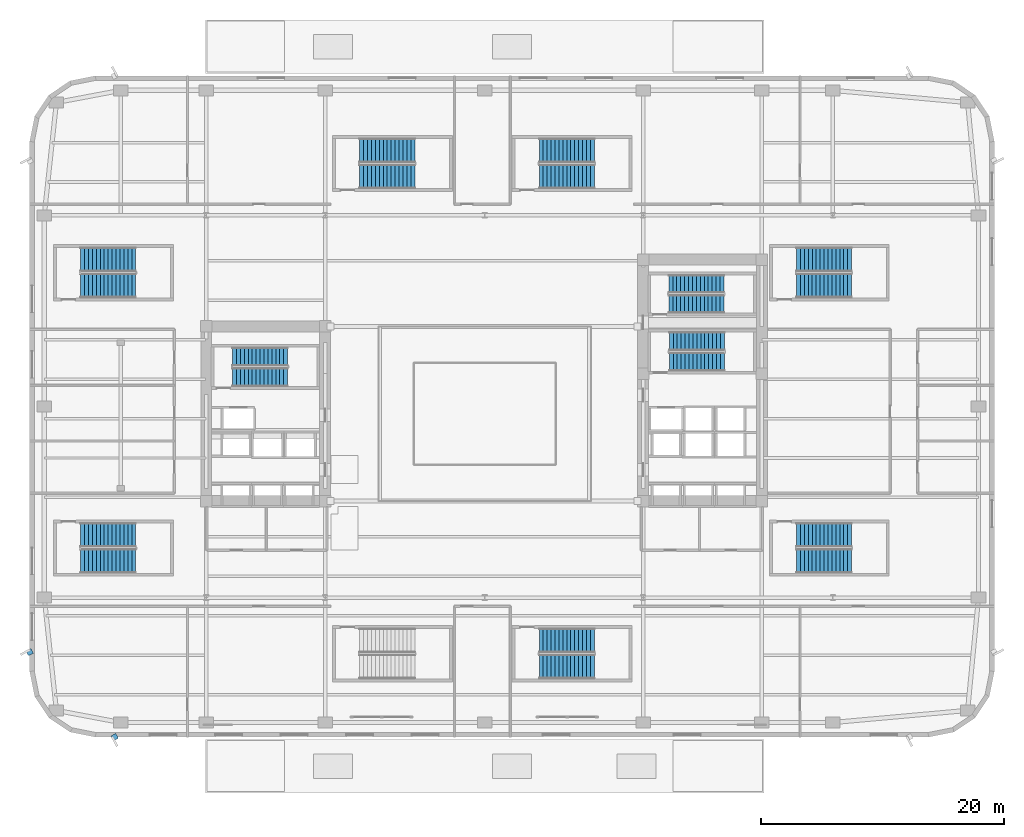
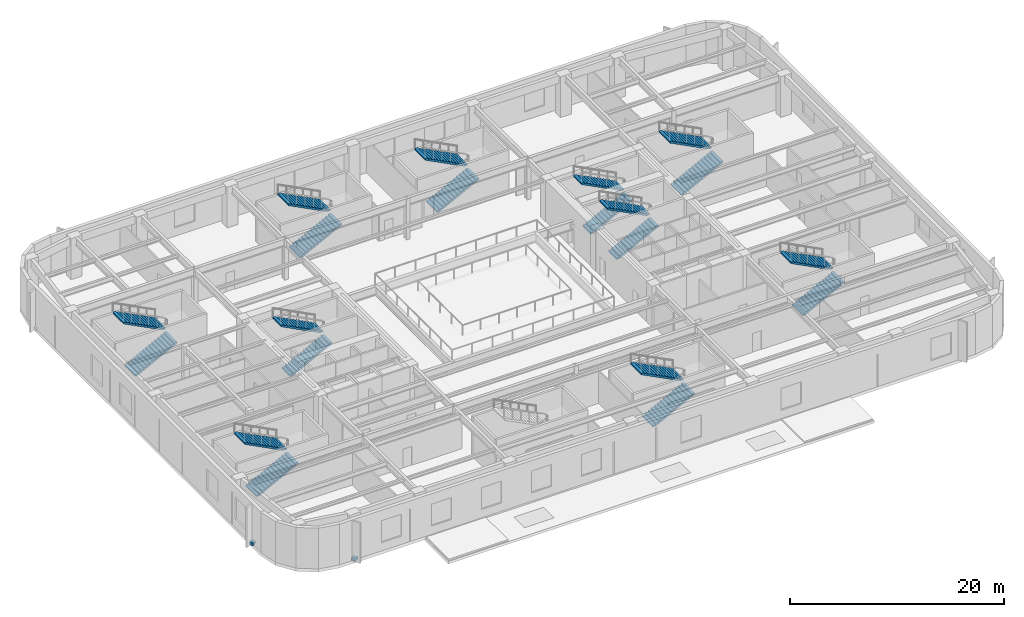
# One storey, part 11 of 24: 20 stair flights, 2 discrete accessories, 10 elements without a shape of their own.
"""IFC4 building model written with IfcOpenShell, lengths in metres."""

from ifc_helpers import new_model, si_unit, direction, frame, origin, origin_2d, place, context, subcontext, project, spatial, polyline, rectangle, outline, extrude, material, type_object, element, aggregate, save


model = new_model("IFC4")

# Units and contexts
model_context = context("Model", 3, precision=1e-05, world=origin(), true_north=direction((0.0, 1.0)))
body_context = subcontext(model_context, "Body", "Model", "MODEL_VIEW")
ifc_project = project(units=[si_unit("LENGTHUNIT", "METRE"), si_unit("AREAUNIT", "SQUARE_METRE"), si_unit("VOLUMEUNIT", "CUBIC_METRE"), si_unit("PLANEANGLEUNIT", "RADIAN"), si_unit("MASSUNIT", "GRAM", prefix="KILO")], contexts=[model_context])

# Site, building, storey
site_placement = place(None, origin())
site = spatial("IfcSite", under=ifc_project, at=site_placement, CompositionType="ELEMENT")
building_placement = place(site_placement, origin())
building = spatial("IfcBuilding", under=site, at=building_placement, Name="Kolvaren Arena Tower", CompositionType="ELEMENT")
storey_placement = place(building_placement, frame((0.0, 0.0, 8.0)))
storey = spatial("IfcBuildingStorey", under=building, at=storey_placement, Name="L01", CompositionType="ELEMENT", Elevation=8.0)

# Stair, stair flights
ifc_material_1 = material(Name="Concrete 45 MPa", Category="concrete")
stair_type_1 = type_object("IfcStairType", Name="STAIR-CORE-150", PredefinedType="HALF_TURN_STAIR", material=ifc_material_1)
stair_1_placement = place(storey_placement, origin())
stair_1 = element("IfcStair", 1, at=stair_1_placement, inside=storey, type_object=stair_type_1, Name="L01 ST-E2", PredefinedType="HALF_TURN_STAIR")
stair_flight_type_1 = type_object("IfcStairFlightType", Name="FLT-150", PredefinedType="STRAIGHT", material=ifc_material_1)
stair_flight_1_placement = place(storey_placement, frame((52.679931640625, 35.699951171875, 0.0), z_axis=(0.0, 0.0, 1.0), x_axis=(1.0, 0.0, 0.0)))
stair_flight_1 = element("IfcStairFlight", 2, at=stair_flight_1_placement, type_object=stair_flight_type_1, Name="ST-E2 flight 1", NumberOfRisers=15, NumberOfTreads=14, PredefinedType="STRAIGHT", RiserHeight=0.166666667, TreadLength=0.324, context=body_context, shape_type="SweptSolid", body=[
    extrude(outline(polyline([(0.0, 0.0), (0.0, 0.166748046875), (0.323974609375, 0.166748046875), (0.323974609375, 0.333251953125), (0.64794921875, 0.333251953125), (0.64794921875, 0.5), (0.971923828125, 0.5), (0.971923828125, 0.666748046875), (1.2958984375, 0.666748046875), (1.2958984375, 0.833251953125), (1.6201171875, 0.833251953125), (1.6201171875, 1.0), (1.944091796875, 1.0), (1.944091796875, 1.166748046875), (2.26806640625, 1.166748046875), (2.26806640625, 1.333251953125), (2.592041015625, 1.333251953125), (2.592041015625, 1.5), (2.916015625, 1.5), (2.916015625, 1.666748046875), (3.239990234375, 1.666748046875), (3.239990234375, 1.833251953125), (3.56396484375, 1.833251953125), (3.56396484375, 2.0), (3.887939453125, 2.0), (3.887939453125, 2.166748046875), (4.2119140625, 2.166748046875), (4.2119140625, 2.333251953125), (4.535888671875, 2.333251953125), (4.535888671875, 2.5), (4.535888671875, 2.164794921875), (0.32763671875, 0.0), (0.0, 0.0)])), frame((0.0, 0.75, 0.0), z_axis=(0.0, -1.0, 0.0), x_axis=(1.0, 0.0, 0.0)), (0.0, 0.0, 1.0), 1.5),
])
stair_flight_2_placement = place(storey_placement, frame((57.216064453125, 37.35009765625, 2.5), z_axis=(0.0, 0.0, 1.0), x_axis=(-1.0, 0.0, 0.0)))
stair_flight_2 = element("IfcStairFlight", 3, at=stair_flight_2_placement, type_object=stair_flight_type_1, Name="ST-E2 flight 2", NumberOfRisers=15, NumberOfTreads=14, PredefinedType="STRAIGHT", RiserHeight=0.166666667, TreadLength=0.324, context=body_context, shape_type="SweptSolid", body=[
    extrude(outline(polyline([(0.0, 0.0), (0.0, 0.166748046875), (0.323974609375, 0.166748046875), (0.323974609375, 0.333251953125), (0.64794921875, 0.333251953125), (0.64794921875, 0.5), (0.971923828125, 0.5), (0.971923828125, 0.666748046875), (1.2958984375, 0.666748046875), (1.2958984375, 0.833251953125), (1.6201171875, 0.833251953125), (1.6201171875, 1.0), (1.944091796875, 1.0), (1.944091796875, 1.166748046875), (2.26806640625, 1.166748046875), (2.26806640625, 1.333251953125), (2.592041015625, 1.333251953125), (2.592041015625, 1.5), (2.916015625, 1.5), (2.916015625, 1.666748046875), (3.239990234375, 1.666748046875), (3.239990234375, 1.833251953125), (3.56396484375, 1.833251953125), (3.56396484375, 2.0), (3.887939453125, 2.0), (3.887939453125, 2.166748046875), (4.2119140625, 2.166748046875), (4.2119140625, 2.333251953125), (4.535888671875, 2.333251953125), (4.535888671875, 2.5), (4.535888671875, 2.164794921875), (0.32763671875, 0.0), (0.0, 0.0)])), frame((0.0, 0.75, 0.0), z_axis=(0.0, -1.0, 0.0), x_axis=(1.0, 0.0, 0.0)), (0.0, 0.0, 1.0), 1.5),
])
aggregate(stair_1, [stair_flight_1, stair_flight_2])

stair_type_2 = type_object("IfcStairType", Name="STAIR-CORE-165", PredefinedType="HALF_TURN_STAIR", material=ifc_material_1)
stair_2_placement = place(storey_placement, origin())
stair_2 = element("IfcStair", 4, at=stair_2_placement, inside=storey, type_object=stair_type_2, Name="L01 ST-W1", PredefinedType="HALF_TURN_STAIR")
stair_flight_type_2 = type_object("IfcStairFlightType", Name="FLT-165", PredefinedType="STRAIGHT", material=ifc_material_1)
stair_flight_3_placement = place(storey_placement, frame((16.719970703125, 29.669921875, 0.0), z_axis=(0.0, 0.0, 1.0), x_axis=(1.0, 0.0, 0.0)))
stair_flight_3 = element("IfcStairFlight", 5, at=stair_flight_3_placement, type_object=stair_flight_type_2, Name="ST-W1 flight 1", NumberOfRisers=15, NumberOfTreads=14, PredefinedType="STRAIGHT", RiserHeight=0.166666667, TreadLength=0.324, context=body_context, shape_type="SweptSolid", body=[
    extrude(outline(polyline([(0.0, 0.0), (0.0, 0.166748046875), (0.323974609375, 0.166748046875), (0.323974609375, 0.333251953125), (0.64794921875, 0.333251953125), (0.64794921875, 0.5), (0.971923828125, 0.5), (0.971923828125, 0.666748046875), (1.2958984375, 0.666748046875), (1.2958984375, 0.833251953125), (1.6201171875, 0.833251953125), (1.6201171875, 1.0), (1.944091796875, 1.0), (1.944091796875, 1.166748046875), (2.26806640625, 1.166748046875), (2.26806640625, 1.333251953125), (2.592041015625, 1.333251953125), (2.592041015625, 1.5), (2.916015625, 1.5), (2.916015625, 1.666748046875), (3.239990234375, 1.666748046875), (3.239990234375, 1.833251953125), (3.56396484375, 1.833251953125), (3.56396484375, 2.0), (3.887939453125, 2.0), (3.887939453125, 2.166748046875), (4.2119140625, 2.166748046875), (4.2119140625, 2.333251953125), (4.535888671875, 2.333251953125), (4.535888671875, 2.5), (4.535888671875, 2.164794921875), (0.32763671875, 0.0), (0.0, 0.0)])), frame((0.0, 0.77001953125, 0.0), z_axis=(0.0, -1.0, 0.0), x_axis=(1.0, 0.0, 0.0)), (0.0, 0.0, 1.0), 1.5400390625),
])
stair_flight_4_placement = place(storey_placement, frame((21.256103515625, 31.360107421875, 2.5), z_axis=(0.0, 0.0, 1.0), x_axis=(-1.0, 0.0, 0.0)))
stair_flight_4 = element("IfcStairFlight", 6, at=stair_flight_4_placement, type_object=stair_flight_type_2, Name="ST-W1 flight 2", NumberOfRisers=15, NumberOfTreads=14, PredefinedType="STRAIGHT", RiserHeight=0.166666667, TreadLength=0.324, context=body_context, shape_type="SweptSolid", body=[
    extrude(outline(polyline([(0.0, 0.0), (0.0, 0.166748046875), (0.323974609375, 0.166748046875), (0.323974609375, 0.333251953125), (0.64794921875, 0.333251953125), (0.64794921875, 0.5), (0.971923828125, 0.5), (0.971923828125, 0.666748046875), (1.2958984375, 0.666748046875), (1.2958984375, 0.833251953125), (1.6201171875, 0.833251953125), (1.6201171875, 1.0), (1.944091796875, 1.0), (1.944091796875, 1.166748046875), (2.26806640625, 1.166748046875), (2.26806640625, 1.333251953125), (2.592041015625, 1.333251953125), (2.592041015625, 1.5), (2.916015625, 1.5), (2.916015625, 1.666748046875), (3.239990234375, 1.666748046875), (3.239990234375, 1.833251953125), (3.56396484375, 1.833251953125), (3.56396484375, 2.0), (3.887939453125, 2.0), (3.887939453125, 2.166748046875), (4.2119140625, 2.166748046875), (4.2119140625, 2.333251953125), (4.535888671875, 2.333251953125), (4.535888671875, 2.5), (4.535888671875, 2.164794921875), (0.32763671875, 0.0), (0.0, 0.0)])), frame((0.0, 0.77001953125, 0.0), z_axis=(0.0, -1.0, 0.0), x_axis=(1.0, 0.0, 0.0)), (0.0, 0.0, 1.0), 1.5400390625),
])
aggregate(stair_2, [stair_flight_3, stair_flight_4])

stair_3_placement = place(storey_placement, origin())
stair_3 = element("IfcStair", 7, at=stair_3_placement, inside=storey, type_object=stair_type_2, Name="L01 ST-E1", PredefinedType="HALF_TURN_STAIR")
stair_flight_5_placement = place(storey_placement, frame((52.719970703125, 30.919921875, 0.0), z_axis=(0.0, 0.0, 1.0), x_axis=(1.0, 0.0, 0.0)))
stair_flight_5 = element("IfcStairFlight", 8, at=stair_flight_5_placement, type_object=stair_flight_type_2, Name="ST-E1 flight 1", NumberOfRisers=15, NumberOfTreads=14, PredefinedType="STRAIGHT", RiserHeight=0.166666667, TreadLength=0.324, context=body_context, shape_type="SweptSolid", body=[
    extrude(outline(polyline([(0.0, 0.0), (0.0, 0.166748046875), (0.323974609375, 0.166748046875), (0.323974609375, 0.333251953125), (0.64794921875, 0.333251953125), (0.64794921875, 0.5), (0.971923828125, 0.5), (0.971923828125, 0.666748046875), (1.2958984375, 0.666748046875), (1.2958984375, 0.833251953125), (1.6201171875, 0.833251953125), (1.6201171875, 1.0), (1.944091796875, 1.0), (1.944091796875, 1.166748046875), (2.26806640625, 1.166748046875), (2.26806640625, 1.333251953125), (2.592041015625, 1.333251953125), (2.592041015625, 1.5), (2.916015625, 1.5), (2.916015625, 1.666748046875), (3.239990234375, 1.666748046875), (3.239990234375, 1.833251953125), (3.56396484375, 1.833251953125), (3.56396484375, 2.0), (3.887939453125, 2.0), (3.887939453125, 2.166748046875), (4.2119140625, 2.166748046875), (4.2119140625, 2.333251953125), (4.535888671875, 2.333251953125), (4.535888671875, 2.5), (4.535888671875, 2.164794921875), (0.32763671875, 0.0), (0.0, 0.0)])), frame((0.0, 0.77001953125, 0.0), z_axis=(0.0, -1.0, 0.0), x_axis=(1.0, 0.0, 0.0)), (0.0, 0.0, 1.0), 1.5400390625),
])
stair_flight_6_placement = place(storey_placement, frame((57.256103515625, 32.610107421875, 2.5), z_axis=(0.0, 0.0, 1.0), x_axis=(-1.0, 0.0, 0.0)))
stair_flight_6 = element("IfcStairFlight", 9, at=stair_flight_6_placement, type_object=stair_flight_type_2, Name="ST-E1 flight 2", NumberOfRisers=15, NumberOfTreads=14, PredefinedType="STRAIGHT", RiserHeight=0.166666667, TreadLength=0.324, context=body_context, shape_type="SweptSolid", body=[
    extrude(outline(polyline([(0.0, 0.0), (0.0, 0.166748046875), (0.323974609375, 0.166748046875), (0.323974609375, 0.333251953125), (0.64794921875, 0.333251953125), (0.64794921875, 0.5), (0.971923828125, 0.5), (0.971923828125, 0.666748046875), (1.2958984375, 0.666748046875), (1.2958984375, 0.833251953125), (1.6201171875, 0.833251953125), (1.6201171875, 1.0), (1.944091796875, 1.0), (1.944091796875, 1.166748046875), (2.26806640625, 1.166748046875), (2.26806640625, 1.333251953125), (2.592041015625, 1.333251953125), (2.592041015625, 1.5), (2.916015625, 1.5), (2.916015625, 1.666748046875), (3.239990234375, 1.666748046875), (3.239990234375, 1.833251953125), (3.56396484375, 1.833251953125), (3.56396484375, 2.0), (3.887939453125, 2.0), (3.887939453125, 2.166748046875), (4.2119140625, 2.166748046875), (4.2119140625, 2.333251953125), (4.535888671875, 2.333251953125), (4.535888671875, 2.5), (4.535888671875, 2.164794921875), (0.32763671875, 0.0), (0.0, 0.0)])), frame((0.0, 0.77001953125, 0.0), z_axis=(0.0, -1.0, 0.0), x_axis=(1.0, 0.0, 0.0)), (0.0, 0.0, 1.0), 1.5400390625),
])
aggregate(stair_3, [stair_flight_5, stair_flight_6])

stair_type_3 = type_object("IfcStairType", Name="STAIR-ARENA-220", PredefinedType="HALF_TURN_STAIR", material=ifc_material_1)
stair_4_placement = place(storey_placement, origin())
stair_4 = element("IfcStair", 10, at=stair_4_placement, inside=storey, type_object=stair_type_3, Name="L01 ST-A1", PredefinedType="HALF_TURN_STAIR")
stair_flight_type_3 = type_object("IfcStairFlightType", Name="FLT-220", PredefinedType="STRAIGHT", material=ifc_material_1)
stair_flight_7_placement = place(storey_placement, frame((4.199951171875, 14.5, 0.0), z_axis=(0.0, 0.0, 1.0), x_axis=(1.0, 0.0, 0.0)))
stair_flight_7 = element("IfcStairFlight", 11, at=stair_flight_7_placement, type_object=stair_flight_type_3, Name="ST-A1 flight 1", NumberOfRisers=15, NumberOfTreads=14, PredefinedType="STRAIGHT", RiserHeight=0.166666667, TreadLength=0.324, context=body_context, shape_type="SweptSolid", body=[
    extrude(outline(polyline([(0.0, 0.0), (0.0, 0.166748046875), (0.323974609375, 0.166748046875), (0.323974609375, 0.333251953125), (0.64794921875, 0.333251953125), (0.64794921875, 0.5), (0.971923828125, 0.5), (0.971923828125, 0.666748046875), (1.2958984375, 0.666748046875), (1.2958984375, 0.833251953125), (1.6201171875, 0.833251953125), (1.6201171875, 1.0), (1.944091796875, 1.0), (1.944091796875, 1.166748046875), (2.26806640625, 1.166748046875), (2.26806640625, 1.333251953125), (2.592041015625, 1.333251953125), (2.592041015625, 1.5), (2.916015625, 1.5), (2.916015625, 1.666748046875), (3.239990234375, 1.666748046875), (3.239990234375, 1.833251953125), (3.56396484375, 1.833251953125), (3.56396484375, 2.0), (3.887939453125, 2.0), (3.887939453125, 2.166748046875), (4.2119140625, 2.166748046875), (4.2119140625, 2.333251953125), (4.535888671875, 2.333251953125), (4.535888671875, 2.5), (4.535888671875, 2.164794921875), (0.32763671875, 0.0), (0.0, 0.0)])), frame((0.0, 1.0, 0.0), z_axis=(0.0, -1.0, 0.0), x_axis=(1.0, 0.0, 0.0)), (0.0, 0.0, 1.0), 2.0),
])
stair_flight_8_placement = place(storey_placement, frame((8.736083984375, 16.64990234375, 2.5), z_axis=(0.0, 0.0, 1.0), x_axis=(-1.0, 0.0, 0.0)))
stair_flight_8 = element("IfcStairFlight", 12, at=stair_flight_8_placement, type_object=stair_flight_type_3, Name="ST-A1 flight 2", NumberOfRisers=15, NumberOfTreads=14, PredefinedType="STRAIGHT", RiserHeight=0.166666667, TreadLength=0.324, context=body_context, shape_type="SweptSolid", body=[
    extrude(outline(polyline([(0.0, 0.0), (0.0, 0.166748046875), (0.323974609375, 0.166748046875), (0.323974609375, 0.333251953125), (0.64794921875, 0.333251953125), (0.64794921875, 0.5), (0.971923828125, 0.5), (0.971923828125, 0.666748046875), (1.2958984375, 0.666748046875), (1.2958984375, 0.833251953125), (1.6201171875, 0.833251953125), (1.6201171875, 1.0), (1.944091796875, 1.0), (1.944091796875, 1.166748046875), (2.26806640625, 1.166748046875), (2.26806640625, 1.333251953125), (2.592041015625, 1.333251953125), (2.592041015625, 1.5), (2.916015625, 1.5), (2.916015625, 1.666748046875), (3.239990234375, 1.666748046875), (3.239990234375, 1.833251953125), (3.56396484375, 1.833251953125), (3.56396484375, 2.0), (3.887939453125, 2.0), (3.887939453125, 2.166748046875), (4.2119140625, 2.166748046875), (4.2119140625, 2.333251953125), (4.535888671875, 2.333251953125), (4.535888671875, 2.5), (4.535888671875, 2.164794921875), (0.32763671875, 0.0), (0.0, 0.0)])), frame((0.0, 1.0, 0.0), z_axis=(0.0, -1.0, 0.0), x_axis=(1.0, 0.0, 0.0)), (0.0, 0.0, 1.0), 2.0),
])
aggregate(stair_4, [stair_flight_7, stair_flight_8])

stair_5_placement = place(storey_placement, origin())
stair_5 = element("IfcStair", 13, at=stair_5_placement, inside=storey, type_object=stair_type_3, Name="L01 ST-A3", PredefinedType="HALF_TURN_STAIR")
stair_flight_9_placement = place(storey_placement, frame((42.0, 5.800048828125, 0.0), z_axis=(0.0, 0.0, 1.0), x_axis=(1.0, 0.0, 0.0)))
stair_flight_9 = element("IfcStairFlight", 14, at=stair_flight_9_placement, type_object=stair_flight_type_3, Name="ST-A3 flight 1", NumberOfRisers=15, NumberOfTreads=14, PredefinedType="STRAIGHT", RiserHeight=0.166666667, TreadLength=0.324, context=body_context, shape_type="SweptSolid", body=[
    extrude(outline(polyline([(0.0, 0.0), (0.0, 0.166748046875), (0.323974609375, 0.166748046875), (0.323974609375, 0.333251953125), (0.64794921875, 0.333251953125), (0.64794921875, 0.5), (0.971923828125, 0.5), (0.971923828125, 0.666748046875), (1.2958984375, 0.666748046875), (1.2958984375, 0.833251953125), (1.6201171875, 0.833251953125), (1.6201171875, 1.0), (1.944091796875, 1.0), (1.944091796875, 1.166748046875), (2.26806640625, 1.166748046875), (2.26806640625, 1.333251953125), (2.592041015625, 1.333251953125), (2.592041015625, 1.5), (2.916015625, 1.5), (2.916015625, 1.666748046875), (3.239990234375, 1.666748046875), (3.239990234375, 1.833251953125), (3.56396484375, 1.833251953125), (3.56396484375, 2.0), (3.887939453125, 2.0), (3.887939453125, 2.166748046875), (4.2119140625, 2.166748046875), (4.2119140625, 2.333251953125), (4.535888671875, 2.333251953125), (4.535888671875, 2.5), (4.535888671875, 2.164794921875), (0.32763671875, 0.0), (0.0, 0.0)])), frame((0.0, 1.0, 0.0), z_axis=(0.0, -1.0, 0.0), x_axis=(1.0, 0.0, 0.0)), (0.0, 0.0, 1.0), 2.0),
])
stair_flight_10_placement = place(storey_placement, frame((46.535888671875, 7.949951171875, 2.5), z_axis=(0.0, 0.0, 1.0), x_axis=(-1.0, 0.0, 0.0)))
stair_flight_10 = element("IfcStairFlight", 15, at=stair_flight_10_placement, type_object=stair_flight_type_3, Name="ST-A3 flight 2", NumberOfRisers=15, NumberOfTreads=14, PredefinedType="STRAIGHT", RiserHeight=0.166666667, TreadLength=0.324, context=body_context, shape_type="SweptSolid", body=[
    extrude(outline(polyline([(0.0, 0.0), (0.0, 0.166748046875), (0.323974609375, 0.166748046875), (0.323974609375, 0.333251953125), (0.64794921875, 0.333251953125), (0.64794921875, 0.5), (0.971923828125, 0.5), (0.971923828125, 0.666748046875), (1.2958984375, 0.666748046875), (1.2958984375, 0.833251953125), (1.6201171875, 0.833251953125), (1.6201171875, 1.0), (1.944091796875, 1.0), (1.944091796875, 1.166748046875), (2.26806640625, 1.166748046875), (2.26806640625, 1.333251953125), (2.592041015625, 1.333251953125), (2.592041015625, 1.5), (2.916015625, 1.5), (2.916015625, 1.666748046875), (3.239990234375, 1.666748046875), (3.239990234375, 1.833251953125), (3.56396484375, 1.833251953125), (3.56396484375, 2.0), (3.887939453125, 2.0), (3.887939453125, 2.166748046875), (4.2119140625, 2.166748046875), (4.2119140625, 2.333251953125), (4.535888671875, 2.333251953125), (4.535888671875, 2.5), (4.535888671875, 2.164794921875), (0.32763671875, 0.0), (0.0, 0.0)])), frame((0.0, 1.0, 0.0), z_axis=(0.0, -1.0, 0.0), x_axis=(1.0, 0.0, 0.0)), (0.0, 0.0, 1.0), 2.0),
])
aggregate(stair_5, [stair_flight_9, stair_flight_10])

stair_6_placement = place(storey_placement, origin())
stair_6 = element("IfcStair", 16, at=stair_6_placement, inside=storey, type_object=stair_type_3, Name="L01 ST-A4", PredefinedType="HALF_TURN_STAIR")
stair_flight_11_placement = place(storey_placement, frame((63.199951171875, 14.5, 0.0), z_axis=(0.0, 0.0, 1.0), x_axis=(1.0, 0.0, 0.0)))
stair_flight_11 = element("IfcStairFlight", 17, at=stair_flight_11_placement, type_object=stair_flight_type_3, Name="ST-A4 flight 1", NumberOfRisers=15, NumberOfTreads=14, PredefinedType="STRAIGHT", RiserHeight=0.166666667, TreadLength=0.324, context=body_context, shape_type="SweptSolid", body=[
    extrude(outline(polyline([(0.0, 0.0), (0.0, 0.166748046875), (0.323974609375, 0.166748046875), (0.323974609375, 0.333251953125), (0.64794921875, 0.333251953125), (0.64794921875, 0.5), (0.971923828125, 0.5), (0.971923828125, 0.666748046875), (1.2958984375, 0.666748046875), (1.2958984375, 0.833251953125), (1.6201171875, 0.833251953125), (1.6201171875, 1.0), (1.944091796875, 1.0), (1.944091796875, 1.166748046875), (2.26806640625, 1.166748046875), (2.26806640625, 1.333251953125), (2.592041015625, 1.333251953125), (2.592041015625, 1.5), (2.916015625, 1.5), (2.916015625, 1.666748046875), (3.239990234375, 1.666748046875), (3.239990234375, 1.833251953125), (3.56396484375, 1.833251953125), (3.56396484375, 2.0), (3.887939453125, 2.0), (3.887939453125, 2.166748046875), (4.2119140625, 2.166748046875), (4.2119140625, 2.333251953125), (4.535888671875, 2.333251953125), (4.535888671875, 2.5), (4.535888671875, 2.164794921875), (0.32763671875, 0.0), (0.0, 0.0)])), frame((0.0, 1.0, 0.0), z_axis=(0.0, -1.0, 0.0), x_axis=(1.0, 0.0, 0.0)), (0.0, 0.0, 1.0), 2.0),
])
stair_flight_12_placement = place(storey_placement, frame((67.736083984375, 16.64990234375, 2.5), z_axis=(0.0, 0.0, 1.0), x_axis=(-1.0, 0.0, 0.0)))
stair_flight_12 = element("IfcStairFlight", 18, at=stair_flight_12_placement, type_object=stair_flight_type_3, Name="ST-A4 flight 2", NumberOfRisers=15, NumberOfTreads=14, PredefinedType="STRAIGHT", RiserHeight=0.166666667, TreadLength=0.324, context=body_context, shape_type="SweptSolid", body=[
    extrude(outline(polyline([(0.0, 0.0), (0.0, 0.166748046875), (0.323974609375, 0.166748046875), (0.323974609375, 0.333251953125), (0.64794921875, 0.333251953125), (0.64794921875, 0.5), (0.971923828125, 0.5), (0.971923828125, 0.666748046875), (1.2958984375, 0.666748046875), (1.2958984375, 0.833251953125), (1.6201171875, 0.833251953125), (1.6201171875, 1.0), (1.944091796875, 1.0), (1.944091796875, 1.166748046875), (2.26806640625, 1.166748046875), (2.26806640625, 1.333251953125), (2.592041015625, 1.333251953125), (2.592041015625, 1.5), (2.916015625, 1.5), (2.916015625, 1.666748046875), (3.239990234375, 1.666748046875), (3.239990234375, 1.833251953125), (3.56396484375, 1.833251953125), (3.56396484375, 2.0), (3.887939453125, 2.0), (3.887939453125, 2.166748046875), (4.2119140625, 2.166748046875), (4.2119140625, 2.333251953125), (4.535888671875, 2.333251953125), (4.535888671875, 2.5), (4.535888671875, 2.164794921875), (0.32763671875, 0.0), (0.0, 0.0)])), frame((0.0, 1.0, 0.0), z_axis=(0.0, -1.0, 0.0), x_axis=(1.0, 0.0, 0.0)), (0.0, 0.0, 1.0), 2.0),
])
aggregate(stair_6, [stair_flight_11, stair_flight_12])

stair_7_placement = place(storey_placement, origin())
stair_7 = element("IfcStair", 19, at=stair_7_placement, inside=storey, type_object=stair_type_3, Name="L01 ST-A5", PredefinedType="HALF_TURN_STAIR")
stair_flight_13_placement = place(storey_placement, frame((4.199951171875, 37.199951171875, 0.0), z_axis=(0.0, 0.0, 1.0), x_axis=(1.0, 0.0, 0.0)))
stair_flight_13 = element("IfcStairFlight", 20, at=stair_flight_13_placement, type_object=stair_flight_type_3, Name="ST-A5 flight 1", NumberOfRisers=15, NumberOfTreads=14, PredefinedType="STRAIGHT", RiserHeight=0.166666667, TreadLength=0.324, context=body_context, shape_type="SweptSolid", body=[
    extrude(outline(polyline([(0.0, 0.0), (0.0, 0.166748046875), (0.323974609375, 0.166748046875), (0.323974609375, 0.333251953125), (0.64794921875, 0.333251953125), (0.64794921875, 0.5), (0.971923828125, 0.5), (0.971923828125, 0.666748046875), (1.2958984375, 0.666748046875), (1.2958984375, 0.833251953125), (1.6201171875, 0.833251953125), (1.6201171875, 1.0), (1.944091796875, 1.0), (1.944091796875, 1.166748046875), (2.26806640625, 1.166748046875), (2.26806640625, 1.333251953125), (2.592041015625, 1.333251953125), (2.592041015625, 1.5), (2.916015625, 1.5), (2.916015625, 1.666748046875), (3.239990234375, 1.666748046875), (3.239990234375, 1.833251953125), (3.56396484375, 1.833251953125), (3.56396484375, 2.0), (3.887939453125, 2.0), (3.887939453125, 2.166748046875), (4.2119140625, 2.166748046875), (4.2119140625, 2.333251953125), (4.535888671875, 2.333251953125), (4.535888671875, 2.5), (4.535888671875, 2.164794921875), (0.32763671875, 0.0), (0.0, 0.0)])), frame((0.0, 1.0, 0.0), z_axis=(0.0, -1.0, 0.0), x_axis=(1.0, 0.0, 0.0)), (0.0, 0.0, 1.0), 2.0),
])
stair_flight_14_placement = place(storey_placement, frame((8.736083984375, 39.35009765625, 2.5), z_axis=(0.0, 0.0, 1.0), x_axis=(-1.0, 0.0, 0.0)))
stair_flight_14 = element("IfcStairFlight", 21, at=stair_flight_14_placement, type_object=stair_flight_type_3, Name="ST-A5 flight 2", NumberOfRisers=15, NumberOfTreads=14, PredefinedType="STRAIGHT", RiserHeight=0.166666667, TreadLength=0.324, context=body_context, shape_type="SweptSolid", body=[
    extrude(outline(polyline([(0.0, 0.0), (0.0, 0.166748046875), (0.323974609375, 0.166748046875), (0.323974609375, 0.333251953125), (0.64794921875, 0.333251953125), (0.64794921875, 0.5), (0.971923828125, 0.5), (0.971923828125, 0.666748046875), (1.2958984375, 0.666748046875), (1.2958984375, 0.833251953125), (1.6201171875, 0.833251953125), (1.6201171875, 1.0), (1.944091796875, 1.0), (1.944091796875, 1.166748046875), (2.26806640625, 1.166748046875), (2.26806640625, 1.333251953125), (2.592041015625, 1.333251953125), (2.592041015625, 1.5), (2.916015625, 1.5), (2.916015625, 1.666748046875), (3.239990234375, 1.666748046875), (3.239990234375, 1.833251953125), (3.56396484375, 1.833251953125), (3.56396484375, 2.0), (3.887939453125, 2.0), (3.887939453125, 2.166748046875), (4.2119140625, 2.166748046875), (4.2119140625, 2.333251953125), (4.535888671875, 2.333251953125), (4.535888671875, 2.5), (4.535888671875, 2.164794921875), (0.32763671875, 0.0), (0.0, 0.0)])), frame((0.0, 1.0, 0.0), z_axis=(0.0, -1.0, 0.0), x_axis=(1.0, 0.0, 0.0)), (0.0, 0.0, 1.0), 2.0),
])
aggregate(stair_7, [stair_flight_13, stair_flight_14])

stair_8_placement = place(storey_placement, origin())
stair_8 = element("IfcStair", 22, at=stair_8_placement, inside=storey, type_object=stair_type_3, Name="L01 ST-A6", PredefinedType="HALF_TURN_STAIR")
stair_flight_15_placement = place(storey_placement, frame((27.199951171875, 46.199951171875, 0.0), z_axis=(0.0, 0.0, 1.0), x_axis=(1.0, 0.0, 0.0)))
stair_flight_15 = element("IfcStairFlight", 23, at=stair_flight_15_placement, type_object=stair_flight_type_3, Name="ST-A6 flight 1", NumberOfRisers=15, NumberOfTreads=14, PredefinedType="STRAIGHT", RiserHeight=0.166666667, TreadLength=0.324, context=body_context, shape_type="SweptSolid", body=[
    extrude(outline(polyline([(0.0, 0.0), (0.0, 0.166748046875), (0.323974609375, 0.166748046875), (0.323974609375, 0.333251953125), (0.64794921875, 0.333251953125), (0.64794921875, 0.5), (0.971923828125, 0.5), (0.971923828125, 0.666748046875), (1.2958984375, 0.666748046875), (1.2958984375, 0.833251953125), (1.6201171875, 0.833251953125), (1.6201171875, 1.0), (1.944091796875, 1.0), (1.944091796875, 1.166748046875), (2.26806640625, 1.166748046875), (2.26806640625, 1.333251953125), (2.592041015625, 1.333251953125), (2.592041015625, 1.5), (2.916015625, 1.5), (2.916015625, 1.666748046875), (3.239990234375, 1.666748046875), (3.239990234375, 1.833251953125), (3.56396484375, 1.833251953125), (3.56396484375, 2.0), (3.887939453125, 2.0), (3.887939453125, 2.166748046875), (4.2119140625, 2.166748046875), (4.2119140625, 2.333251953125), (4.535888671875, 2.333251953125), (4.535888671875, 2.5), (4.535888671875, 2.164794921875), (0.32763671875, 0.0), (0.0, 0.0)])), frame((0.0, 1.0, 0.0), z_axis=(0.0, -1.0, 0.0), x_axis=(1.0, 0.0, 0.0)), (0.0, 0.0, 1.0), 2.0),
])
stair_flight_16_placement = place(storey_placement, frame((31.736083984375, 48.35009765625, 2.5), z_axis=(0.0, 0.0, 1.0), x_axis=(-1.0, 0.0, 0.0)))
stair_flight_16 = element("IfcStairFlight", 24, at=stair_flight_16_placement, type_object=stair_flight_type_3, Name="ST-A6 flight 2", NumberOfRisers=15, NumberOfTreads=14, PredefinedType="STRAIGHT", RiserHeight=0.166666667, TreadLength=0.324, context=body_context, shape_type="SweptSolid", body=[
    extrude(outline(polyline([(0.0, 0.0), (0.0, 0.166748046875), (0.323974609375, 0.166748046875), (0.323974609375, 0.333251953125), (0.64794921875, 0.333251953125), (0.64794921875, 0.5), (0.971923828125, 0.5), (0.971923828125, 0.666748046875), (1.2958984375, 0.666748046875), (1.2958984375, 0.833251953125), (1.6201171875, 0.833251953125), (1.6201171875, 1.0), (1.944091796875, 1.0), (1.944091796875, 1.166748046875), (2.26806640625, 1.166748046875), (2.26806640625, 1.333251953125), (2.592041015625, 1.333251953125), (2.592041015625, 1.5), (2.916015625, 1.5), (2.916015625, 1.666748046875), (3.239990234375, 1.666748046875), (3.239990234375, 1.833251953125), (3.56396484375, 1.833251953125), (3.56396484375, 2.0), (3.887939453125, 2.0), (3.887939453125, 2.166748046875), (4.2119140625, 2.166748046875), (4.2119140625, 2.333251953125), (4.535888671875, 2.333251953125), (4.535888671875, 2.5), (4.535888671875, 2.164794921875), (0.32763671875, 0.0), (0.0, 0.0)])), frame((0.0, 1.0, 0.0), z_axis=(0.0, -1.0, 0.0), x_axis=(1.0, 0.0, 0.0)), (0.0, 0.0, 1.0), 2.0),
])
aggregate(stair_8, [stair_flight_15, stair_flight_16])

stair_9_placement = place(storey_placement, origin())
stair_9 = element("IfcStair", 25, at=stair_9_placement, inside=storey, type_object=stair_type_3, Name="L01 ST-A7", PredefinedType="HALF_TURN_STAIR")
stair_flight_17_placement = place(storey_placement, frame((42.0, 46.199951171875, 0.0), z_axis=(0.0, 0.0, 1.0), x_axis=(1.0, 0.0, 0.0)))
stair_flight_17 = element("IfcStairFlight", 26, at=stair_flight_17_placement, type_object=stair_flight_type_3, Name="ST-A7 flight 1", NumberOfRisers=15, NumberOfTreads=14, PredefinedType="STRAIGHT", RiserHeight=0.166666667, TreadLength=0.324, context=body_context, shape_type="SweptSolid", body=[
    extrude(outline(polyline([(0.0, 0.0), (0.0, 0.166748046875), (0.323974609375, 0.166748046875), (0.323974609375, 0.333251953125), (0.64794921875, 0.333251953125), (0.64794921875, 0.5), (0.971923828125, 0.5), (0.971923828125, 0.666748046875), (1.2958984375, 0.666748046875), (1.2958984375, 0.833251953125), (1.6201171875, 0.833251953125), (1.6201171875, 1.0), (1.944091796875, 1.0), (1.944091796875, 1.166748046875), (2.26806640625, 1.166748046875), (2.26806640625, 1.333251953125), (2.592041015625, 1.333251953125), (2.592041015625, 1.5), (2.916015625, 1.5), (2.916015625, 1.666748046875), (3.239990234375, 1.666748046875), (3.239990234375, 1.833251953125), (3.56396484375, 1.833251953125), (3.56396484375, 2.0), (3.887939453125, 2.0), (3.887939453125, 2.166748046875), (4.2119140625, 2.166748046875), (4.2119140625, 2.333251953125), (4.535888671875, 2.333251953125), (4.535888671875, 2.5), (4.535888671875, 2.164794921875), (0.32763671875, 0.0), (0.0, 0.0)])), frame((0.0, 1.0, 0.0), z_axis=(0.0, -1.0, 0.0), x_axis=(1.0, 0.0, 0.0)), (0.0, 0.0, 1.0), 2.0),
])
stair_flight_18_placement = place(storey_placement, frame((46.535888671875, 48.35009765625, 2.5), z_axis=(0.0, 0.0, 1.0), x_axis=(-1.0, 0.0, 0.0)))
stair_flight_18 = element("IfcStairFlight", 27, at=stair_flight_18_placement, type_object=stair_flight_type_3, Name="ST-A7 flight 2", NumberOfRisers=15, NumberOfTreads=14, PredefinedType="STRAIGHT", RiserHeight=0.166666667, TreadLength=0.324, context=body_context, shape_type="SweptSolid", body=[
    extrude(outline(polyline([(0.0, 0.0), (0.0, 0.166748046875), (0.323974609375, 0.166748046875), (0.323974609375, 0.333251953125), (0.64794921875, 0.333251953125), (0.64794921875, 0.5), (0.971923828125, 0.5), (0.971923828125, 0.666748046875), (1.2958984375, 0.666748046875), (1.2958984375, 0.833251953125), (1.6201171875, 0.833251953125), (1.6201171875, 1.0), (1.944091796875, 1.0), (1.944091796875, 1.166748046875), (2.26806640625, 1.166748046875), (2.26806640625, 1.333251953125), (2.592041015625, 1.333251953125), (2.592041015625, 1.5), (2.916015625, 1.5), (2.916015625, 1.666748046875), (3.239990234375, 1.666748046875), (3.239990234375, 1.833251953125), (3.56396484375, 1.833251953125), (3.56396484375, 2.0), (3.887939453125, 2.0), (3.887939453125, 2.166748046875), (4.2119140625, 2.166748046875), (4.2119140625, 2.333251953125), (4.535888671875, 2.333251953125), (4.535888671875, 2.5), (4.535888671875, 2.164794921875), (0.32763671875, 0.0), (0.0, 0.0)])), frame((0.0, 1.0, 0.0), z_axis=(0.0, -1.0, 0.0), x_axis=(1.0, 0.0, 0.0)), (0.0, 0.0, 1.0), 2.0),
])
aggregate(stair_9, [stair_flight_17, stair_flight_18])

stair_10_placement = place(storey_placement, origin())
stair_10 = element("IfcStair", 28, at=stair_10_placement, inside=storey, type_object=stair_type_3, Name="L01 ST-A8", PredefinedType="HALF_TURN_STAIR")
stair_flight_19_placement = place(storey_placement, frame((63.199951171875, 37.199951171875, 0.0), z_axis=(0.0, 0.0, 1.0), x_axis=(1.0, 0.0, 0.0)))
stair_flight_19 = element("IfcStairFlight", 29, at=stair_flight_19_placement, type_object=stair_flight_type_3, Name="ST-A8 flight 1", NumberOfRisers=15, NumberOfTreads=14, PredefinedType="STRAIGHT", RiserHeight=0.166666667, TreadLength=0.324, context=body_context, shape_type="SweptSolid", body=[
    extrude(outline(polyline([(0.0, 0.0), (0.0, 0.166748046875), (0.323974609375, 0.166748046875), (0.323974609375, 0.333251953125), (0.64794921875, 0.333251953125), (0.64794921875, 0.5), (0.971923828125, 0.5), (0.971923828125, 0.666748046875), (1.2958984375, 0.666748046875), (1.2958984375, 0.833251953125), (1.6201171875, 0.833251953125), (1.6201171875, 1.0), (1.944091796875, 1.0), (1.944091796875, 1.166748046875), (2.26806640625, 1.166748046875), (2.26806640625, 1.333251953125), (2.592041015625, 1.333251953125), (2.592041015625, 1.5), (2.916015625, 1.5), (2.916015625, 1.666748046875), (3.239990234375, 1.666748046875), (3.239990234375, 1.833251953125), (3.56396484375, 1.833251953125), (3.56396484375, 2.0), (3.887939453125, 2.0), (3.887939453125, 2.166748046875), (4.2119140625, 2.166748046875), (4.2119140625, 2.333251953125), (4.535888671875, 2.333251953125), (4.535888671875, 2.5), (4.535888671875, 2.164794921875), (0.32763671875, 0.0), (0.0, 0.0)])), frame((0.0, 1.0, 0.0), z_axis=(0.0, -1.0, 0.0), x_axis=(1.0, 0.0, 0.0)), (0.0, 0.0, 1.0), 2.0),
])
stair_flight_20_placement = place(storey_placement, frame((67.736083984375, 39.35009765625, 2.5), z_axis=(0.0, 0.0, 1.0), x_axis=(-1.0, 0.0, 0.0)))
stair_flight_20 = element("IfcStairFlight", 30, at=stair_flight_20_placement, type_object=stair_flight_type_3, Name="ST-A8 flight 2", NumberOfRisers=15, NumberOfTreads=14, PredefinedType="STRAIGHT", RiserHeight=0.166666667, TreadLength=0.324, context=body_context, shape_type="SweptSolid", body=[
    extrude(outline(polyline([(0.0, 0.0), (0.0, 0.166748046875), (0.323974609375, 0.166748046875), (0.323974609375, 0.333251953125), (0.64794921875, 0.333251953125), (0.64794921875, 0.5), (0.971923828125, 0.5), (0.971923828125, 0.666748046875), (1.2958984375, 0.666748046875), (1.2958984375, 0.833251953125), (1.6201171875, 0.833251953125), (1.6201171875, 1.0), (1.944091796875, 1.0), (1.944091796875, 1.166748046875), (2.26806640625, 1.166748046875), (2.26806640625, 1.333251953125), (2.592041015625, 1.333251953125), (2.592041015625, 1.5), (2.916015625, 1.5), (2.916015625, 1.666748046875), (3.239990234375, 1.666748046875), (3.239990234375, 1.833251953125), (3.56396484375, 1.833251953125), (3.56396484375, 2.0), (3.887939453125, 2.0), (3.887939453125, 2.166748046875), (4.2119140625, 2.166748046875), (4.2119140625, 2.333251953125), (4.535888671875, 2.333251953125), (4.535888671875, 2.5), (4.535888671875, 2.164794921875), (0.32763671875, 0.0), (0.0, 0.0)])), frame((0.0, 1.0, 0.0), z_axis=(0.0, -1.0, 0.0), x_axis=(1.0, 0.0, 0.0)), (0.0, 0.0, 1.0), 2.0),
])
aggregate(stair_10, [stair_flight_19, stair_flight_20])

# Discrete accessories
ifc_material_2 = material(Name="Stainless steel facade support bracket", Category="steel")
discrete_accessory_type = type_object("IfcDiscreteAccessoryType", Name="ACC-BRKT-1", PredefinedType="BRACKET", material=ifc_material_2)
for number, where, z_axis, x_axis, name in (
    (31, (0.0, 7.0, 0.02001953125), (0.0, 0.0, 1.0), (-0.882947592859, -0.469471562786, 0.0), "Arena Fin Anchor Bracket (L01)"),
    (32, (7.0, 0.0, 0.02001953125), (0.0, 0.0, 1.0), (0.469471562786, -0.882947592859, 0.0), "Arena Fin Anchor Bracket (L01)"),
):
    element("IfcDiscreteAccessory", number, at=place(storey_placement, frame(where, z_axis=z_axis, x_axis=x_axis)), inside=storey, type_object=discrete_accessory_type, Name=name, PredefinedType="BRACKET", context=body_context, shape_type="SweptSolid", body=[
        extrude(rectangle(XDim=0.449951171875, YDim=0.449951171875, at=origin_2d()), origin(), (0.0, 0.0, 1.0), 0.300048828125),
    ])

save(model, "model.ifc")
